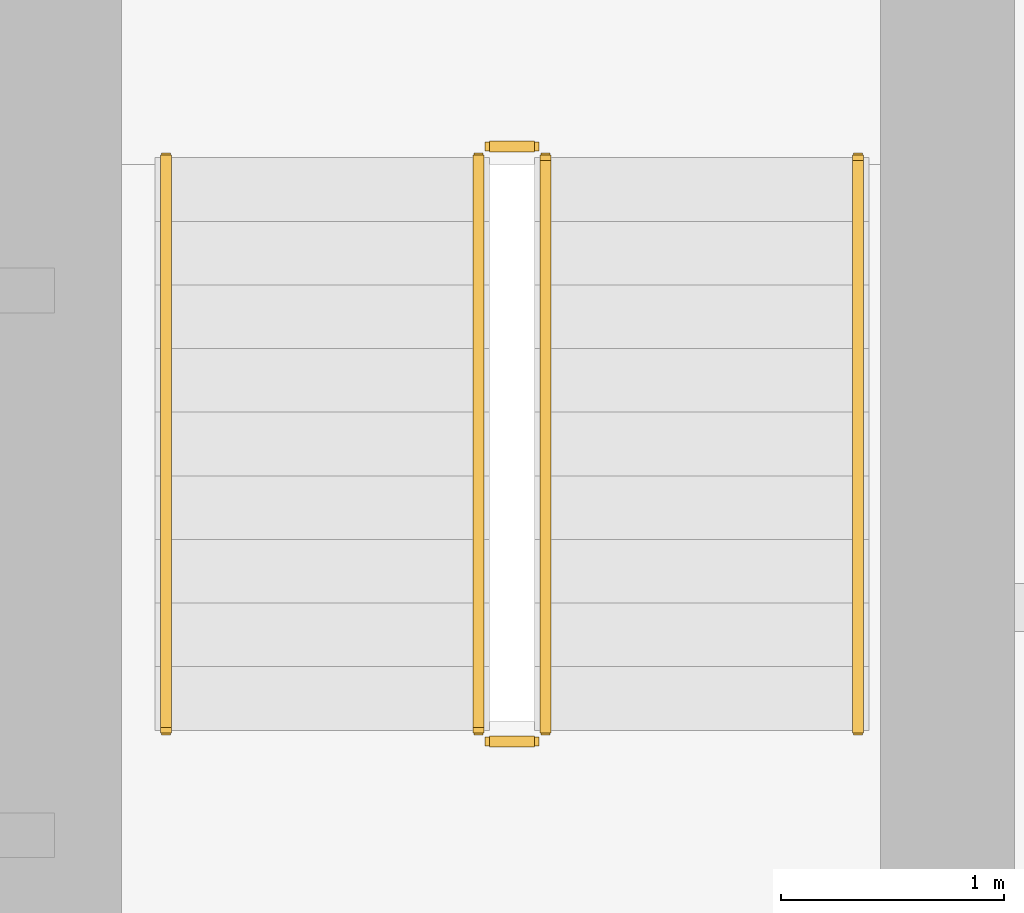
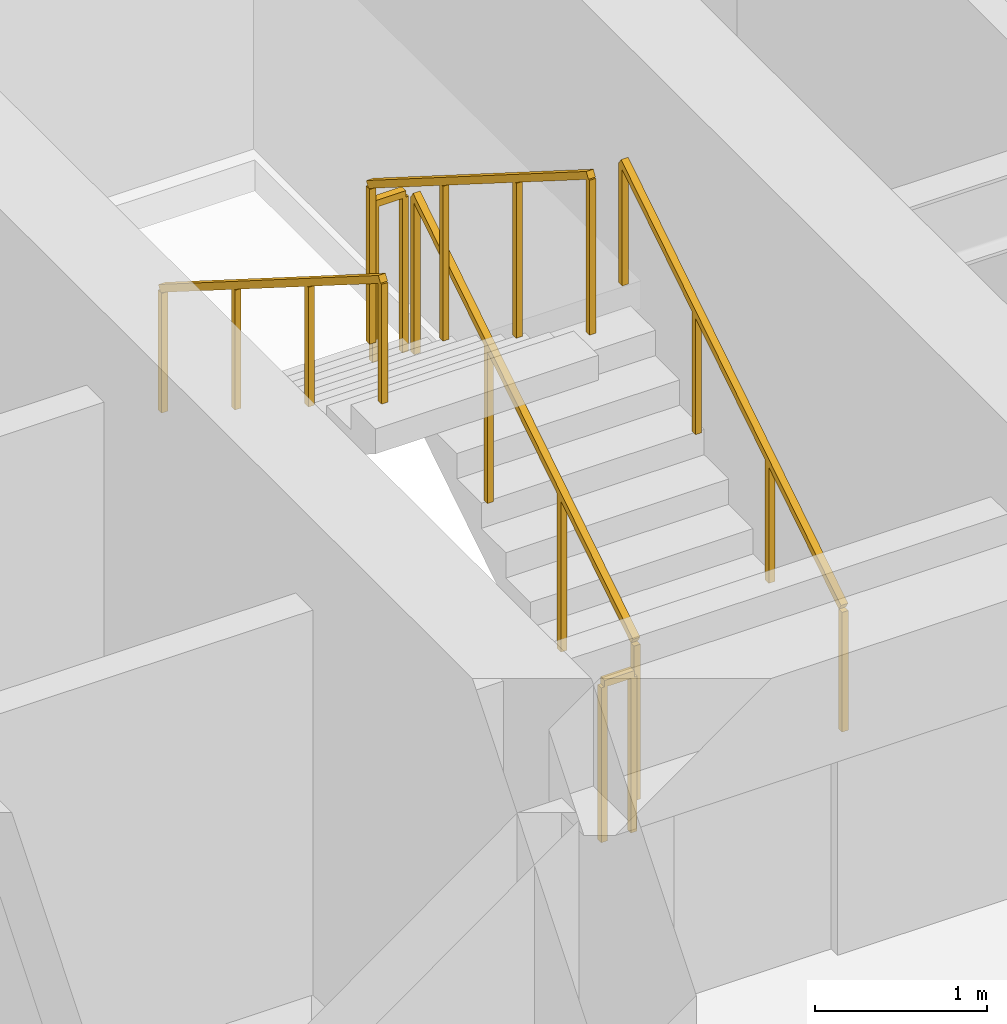
# One storey, part 28 of 28: 6 railings.
"""IFC4 building model written with IfcOpenShell, lengths in metres."""

from ifc_helpers import new_model, si_unit, direction, frame, origin, origin_2d, place, context, subcontext, project, spatial, rectangle, extrude, material, type_object, element, save


model = new_model("IFC4")

# Units and contexts
model_context = context("Model", 3, precision=1e-05, world=origin(), true_north=direction((0.0, 1.0)))
body_context = subcontext(model_context, "Body", "Model", "MODEL_VIEW")
ifc_project = project(units=[si_unit("LENGTHUNIT", "METRE"), si_unit("AREAUNIT", "SQUARE_METRE"), si_unit("VOLUMEUNIT", "CUBIC_METRE"), si_unit("PLANEANGLEUNIT", "RADIAN"), si_unit("MASSUNIT", "GRAM", prefix="KILO")], contexts=[model_context])

# Site, building, storey
site_placement = place(None, origin())
site = spatial("IfcSite", under=ifc_project, at=site_placement, CompositionType="ELEMENT")
building_placement = place(site_placement, origin())
building = spatial("IfcBuilding", under=site, at=building_placement, Name="Sarneth Arch Tower", CompositionType="ELEMENT")
storey_placement = place(building_placement, frame((0.0, 0.0, 67.800048828125)))
storey = spatial("IfcBuildingStorey", under=building, at=storey_placement, Name="L16", CompositionType="ELEMENT", Elevation=67.800048828125)

# Railings
ifc_material_1 = material(Name="Brushed Stainless Steel 304 tubular handrail", Category="steel")
railing_type_1 = type_object("IfcRailingType", Name="RAIL-HANDRAIL-900", PredefinedType="HANDRAIL", material=ifc_material_1)
railing_1_placement = place(storey_placement, frame((58.60009765625, 41.449951171875, 0.179931640625)))
element("IfcRailing", 1, at=railing_1_placement, inside=storey, type_object=railing_type_1, Name="L16 ST-2 stair handrail 1", PredefinedType="HANDRAIL", context=body_context, shape_type="SweptSolid", body=[
    extrude(rectangle(XDim=0.048095703125, YDim=0.048095703125, at=origin_2d()), frame((0.0, 0.0, 0.8759765625), z_axis=(0.0, 0.845465955043, 0.534029323973), x_axis=(-1.0, 0.0, 0.0)), (0.0, 0.0, 1.0), 3.03369140625),
    extrude(rectangle(XDim=0.0419921875, YDim=0.0419921875, at=origin_2d()), origin(), (0.0, 0.0, 1.0), 0.851806640625),
    extrude(rectangle(XDim=0.0419921875, YDim=0.0419921875, at=origin_2d()), frame((0.0, 0.85498046875, 0.5400390625)), (0.0, 0.0, 1.0), 0.851806640625),
    extrude(rectangle(XDim=0.0419921875, YDim=0.0419921875, at=origin_2d()), frame((0.0, 1.7099609375, 1.080078125)), (0.0, 0.0, 1.0), 0.851806640625),
    extrude(rectangle(XDim=0.0419921875, YDim=0.0419921875, at=origin_2d()), frame((0.0, 2.56494140625, 1.6201171875)), (0.0, 0.0, 1.0), 0.851806640625),
])
railing_2_placement = place(storey_placement, frame((55.5, 44.014892578125, 1.97998046875)))
element("IfcRailing", 2, at=railing_2_placement, inside=storey, type_object=railing_type_1, Name="L16 ST-2 stair handrail 2", PredefinedType="HANDRAIL", context=body_context, shape_type="SweptSolid", body=[
    extrude(rectangle(XDim=0.048095703125, YDim=0.048095703125, at=origin_2d()), frame((0.0, 0.0, 0.8759765625), z_axis=(0.0, -0.845502289212, 0.533971796014), x_axis=(1.0, 0.0, 0.0)), (0.0, 0.0, 1.0), 3.03369140625),
    extrude(rectangle(XDim=0.0419921875, YDim=0.0419921875, at=origin_2d()), origin(), (0.0, 0.0, 1.0), 0.851806640625),
    extrude(rectangle(XDim=0.0419921875, YDim=0.0419921875, at=origin_2d()), frame((0.0, -0.85498046875, 0.5400390625)), (0.0, 0.0, 1.0), 0.851806640625),
    extrude(rectangle(XDim=0.0419921875, YDim=0.0419921875, at=origin_2d()), frame((0.0, -1.7099609375, 1.079833984375)), (0.0, 0.0, 1.0), 0.851806640625),
    extrude(rectangle(XDim=0.0419921875, YDim=0.0419921875, at=origin_2d()), frame((0.0, -2.56494140625, 1.619873046875)), (0.0, 0.0, 1.0), 0.851806640625),
])
ifc_material_2 = material(Name="Painted Steel S275 stair well guard", Category="steel")
railing_type_2 = type_object("IfcRailingType", Name="RAIL-STAIR-GUARD", PredefinedType="GUARDRAIL", material=ifc_material_2)
railing_3_placement = place(storey_placement, frame((57.199951171875, 41.449951171875, 0.179931640625)))
element("IfcRailing", 3, at=railing_3_placement, inside=storey, type_object=railing_type_2, Name="L16 ST-2 stair guard 1", PredefinedType="GUARDRAIL", context=body_context, shape_type="SweptSolid", body=[
    extrude(rectangle(XDim=0.048095703125, YDim=0.048095703125, at=origin_2d()), frame((0.0, 0.0, 1.1259765625), z_axis=(0.0, 0.845465955043, 0.534029323973), x_axis=(-1.0, 0.0, 0.0)), (0.0, 0.0, 1.0), 3.03369140625),
    extrude(rectangle(XDim=0.0419921875, YDim=0.0419921875, at=origin_2d()), origin(), (0.0, 0.0, 1.0), 1.101806640625),
    extrude(rectangle(XDim=0.0419921875, YDim=0.0419921875, at=origin_2d()), frame((0.0, 0.85498046875, 0.5400390625)), (0.0, 0.0, 1.0), 1.101806640625),
    extrude(rectangle(XDim=0.0419921875, YDim=0.0419921875, at=origin_2d()), frame((0.0, 1.7099609375, 1.080078125)), (0.0, 0.0, 1.0), 1.101806640625),
    extrude(rectangle(XDim=0.0419921875, YDim=0.0419921875, at=origin_2d()), frame((0.0, 2.56494140625, 1.6201171875)), (0.0, 0.0, 1.0), 1.101806640625),
])
railing_4_placement = place(storey_placement, frame((57.14990234375, 44.06494140625, 1.800048828125)))
element("IfcRailing", 4, at=railing_4_placement, inside=storey, type_object=railing_type_2, Name="L16 ST-2 stair guard 2", PredefinedType="GUARDRAIL", context=body_context, shape_type="SweptSolid", body=[
    extrude(rectangle(XDim=0.048095703125, YDim=0.048095703125, at=origin_2d()), frame((0.0, 0.0, 1.1259765625), z_axis=(-1.0, 0.0, 0.0), x_axis=(0.0, -1.0, 0.0)), (0.0, 0.0, 1.0), 0.199951171875),
    extrude(rectangle(XDim=0.0419921875, YDim=0.0419921875, at=origin_2d()), origin(), (0.0, 0.0, 1.0), 1.101806640625),
    extrude(rectangle(XDim=0.0419921875, YDim=0.0419921875, at=origin_2d()), frame((-0.199951171875, 0.0, 0.0)), (0.0, 0.0, 1.0), 1.101806640625),
])
railing_5_placement = place(storey_placement, frame((56.89990234375, 44.014892578125, 1.97998046875)))
element("IfcRailing", 5, at=railing_5_placement, inside=storey, type_object=railing_type_2, Name="L16 ST-2 stair guard 3", PredefinedType="GUARDRAIL", context=body_context, shape_type="SweptSolid", body=[
    extrude(rectangle(XDim=0.048095703125, YDim=0.048095703125, at=origin_2d()), frame((0.0, 0.0, 1.1259765625), z_axis=(0.0, -0.845502289212, 0.533971796014), x_axis=(1.0, 0.0, 0.0)), (0.0, 0.0, 1.0), 3.03369140625),
    extrude(rectangle(XDim=0.0419921875, YDim=0.0419921875, at=origin_2d()), origin(), (0.0, 0.0, 1.0), 1.101806640625),
    extrude(rectangle(XDim=0.0419921875, YDim=0.0419921875, at=origin_2d()), frame((0.0, -0.85498046875, 0.5400390625)), (0.0, 0.0, 1.0), 1.101806640625),
    extrude(rectangle(XDim=0.0419921875, YDim=0.0419921875, at=origin_2d()), frame((0.0, -1.7099609375, 1.079833984375)), (0.0, 0.0, 1.0), 1.101806640625),
    extrude(rectangle(XDim=0.0419921875, YDim=0.0419921875, at=origin_2d()), frame((0.0, -2.56494140625, 1.619873046875)), (0.0, 0.0, 1.0), 1.101806640625),
])
railing_6_placement = place(storey_placement, frame((57.14990234375, 41.39990234375, 0.0)))
element("IfcRailing", 6, at=railing_6_placement, inside=storey, type_object=railing_type_2, Name="L16 ST-2 stair guard 4", PredefinedType="GUARDRAIL", context=body_context, shape_type="SweptSolid", body=[
    extrude(rectangle(XDim=0.048095703125, YDim=0.048095703125, at=origin_2d()), frame((0.0, 0.0, 1.1259765625), z_axis=(-1.0, 0.0, 0.0), x_axis=(0.0, -1.0, 0.0)), (0.0, 0.0, 1.0), 0.199951171875),
    extrude(rectangle(XDim=0.0419921875, YDim=0.0419921875, at=origin_2d()), origin(), (0.0, 0.0, 1.0), 1.101806640625),
    extrude(rectangle(XDim=0.0419921875, YDim=0.0419921875, at=origin_2d()), frame((-0.199951171875, 0.0, 0.0)), (0.0, 0.0, 1.0), 1.101806640625),
])

save(model, "model.ifc")
